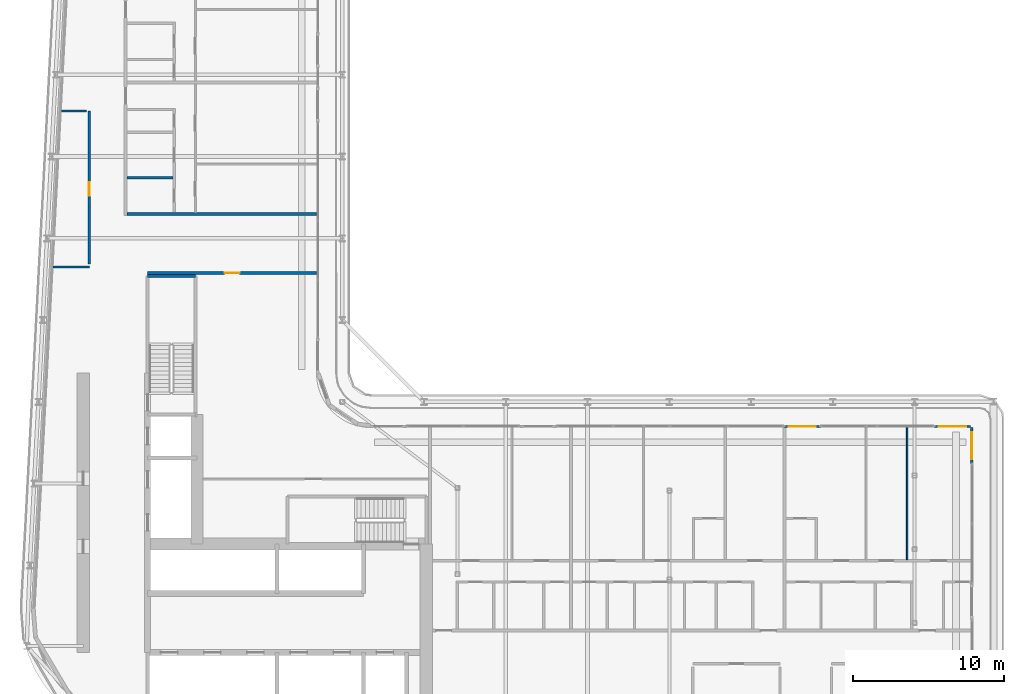
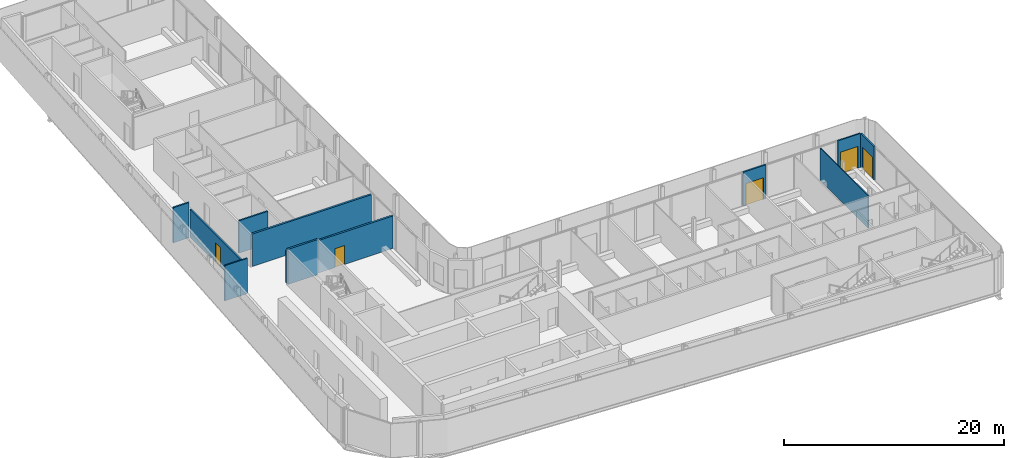
# One storey, part 16 of 26: 11 walls, 5 doors, 5 openings.
"""IFC4 building model written with IfcOpenShell, lengths in metres."""

from ifc_helpers import new_model, si_unit, direction, frame, frame_2d, origin, place, context, subcontext, project, spatial, rectangle, extrude, source, transform, mapped, material, layer, layer_set, type_object, element, fill, save


model = new_model("IFC4")

# Units and contexts
model_context = context("Model", 3, precision=1e-05, world=origin(), true_north=direction((0.0, 1.0)))
body_context = subcontext(model_context, "Body", "Model", "MODEL_VIEW")
ifc_project = project(units=[si_unit("LENGTHUNIT", "METRE"), si_unit("AREAUNIT", "SQUARE_METRE"), si_unit("VOLUMEUNIT", "CUBIC_METRE"), si_unit("PLANEANGLEUNIT", "RADIAN"), si_unit("MASSUNIT", "GRAM", prefix="KILO")], contexts=[model_context])

# Site, building, storey
site_placement = place(None, origin())
site = spatial("IfcSite", under=ifc_project, at=site_placement, CompositionType="ELEMENT")
building_placement = place(site_placement, origin())
building = spatial("IfcBuilding", under=site, at=building_placement, Name="Kheshtan School and Residences Tower", CompositionType="ELEMENT")
storey_placement = place(building_placement, frame((0.0, 0.0, 156.5)))
storey = spatial("IfcBuildingStorey", under=building, at=storey_placement, Name="L36", CompositionType="ELEMENT", Elevation=156.5)

# Wall
ifc_material_1 = material(Name="Gypsum board on steel studs with fire boards", Category="steel")
ifc_layer_1 = layer(ifc_material_1, 0.199951171875)
ifc_layer_set_1 = layer_set([ifc_layer_1], Name="Corridor wall 200")
wall_type_1 = type_object("IfcWallType", Name="Corridor wall 200", PredefinedType="PARTITIONING", material=ifc_layer_set_1)
wall_1_placement = place(storey_placement, frame((33.39990234375, 58.0, 0.0), z_axis=(0.0, 0.0, 1.0), x_axis=(1.0, 0.0, 0.0)))
element("IfcWall", 1, at=wall_1_placement, inside=storey, type_object=wall_type_1, Name="Partition L36-006", PredefinedType="PARTITIONING", context=body_context, shape_type="SweptSolid", body=[
    extrude(rectangle(XDim=12.5, YDim=0.199951171875, at=frame_2d((6.25, 0.0))), origin(), (0.0, 0.0, 1.0), 3.60009765625),
])

# Wall, opening, door
wall_2_placement = place(storey_placement, frame((34.75, 54.10009765625, 0.0), z_axis=(0.0, 0.0, 1.0), x_axis=(1.0, 0.0, 0.0)))
wall_2 = element("IfcWall", 2, at=wall_2_placement, inside=storey, type_object=wall_type_1, Name="Partition L36-017", PredefinedType="PARTITIONING", context=body_context, shape_type="SweptSolid", body=[
    extrude(rectangle(XDim=11.14990234375, YDim=0.199951171875, at=frame_2d((5.574951171875, 0.0))), origin(), (0.0, 0.0, 1.0), 3.60009765625),
])
opening_1_placement = place(wall_2_placement, frame((5.074951171875, 0.0, 0.0)))
opening_1 = element("IfcOpeningElement", 3, at=opening_1_placement, cuts=wall_2, Name="Opening D35-046", PredefinedType="OPENING", context=body_context, shape_type="SweptSolid", body=[
    extrude(rectangle(XDim=1.0, YDim=2.10009765625, at=frame_2d((0.5, 1.050048828125))), frame((0.0, 0.10986328125, 0.0), z_axis=(0.0, -1.0, 0.0), x_axis=(1.0, 0.0, 0.0)), (0.0, 0.0, 1.0), 0.219970703125),
])
ifc_material_2 = material(Name="Steel-framed fire-resisting door leaf", Category="steel")
door_type_1 = type_object("IfcDoorType", Name="Fire door FD60 1000 x 2100", OperationType="SINGLE_SWING_LEFT", PredefinedType="DOOR", material=ifc_material_2)
shared_shape_1 = source(origin(), body_context, "Body", "SweptSolid", [
    extrude(rectangle(XDim=1.0, YDim=2.10009765625, at=frame_2d((0.5, 1.050048828125))), frame((0.0, 0.02490234375, 0.0), z_axis=(0.0, -1.0, 0.0), x_axis=(1.0, 0.0, 0.0)), (0.0, 0.0, 1.0), 0.050048828125),
])
door_1_placement = place(opening_1_placement, origin())
door_1 = element("IfcDoor", 4, at=door_1_placement, inside=storey, type_object=door_type_1, Name="Door D35-046", OperationType="SINGLE_SWING_RIGHT", OverallHeight=2.10009765625, OverallWidth=1.0, PredefinedType="DOOR", context=body_context, shape_type="MappedRepresentation", body=[
    mapped(shared_shape_1, transform((0.0, 0.0, 0.0), x_axis=(1.0, 0.0, 0.0), y_axis=(0.0, 1.0, 0.0), z_axis=(0.0, 0.0, 1.0), scale=1.0)),
])
fill(opening_1, door_1)

ifc_material_3 = material(Name="Aluminium frame wall with insulated infill", Category="aluminium")
ifc_layer_2 = layer(ifc_material_3, 0.14990234375)
ifc_layer_set_2 = layer_set([ifc_layer_2], Name="Glazing frame wall 150")
wall_type_2 = type_object("IfcWallType", Name="Glazing frame wall 150", PredefinedType="SOLIDWALL", material=ifc_layer_set_2)
wall_3_placement = place(storey_placement, frame((76.781982421875, 43.97509765625, 0.0), z_axis=(0.0, 0.0, 1.0), x_axis=(1.0, 0.0, 0.0)))
wall_3 = element("IfcWall", 5, at=wall_3_placement, inside=storey, type_object=wall_type_2, Name="Balcony door wall L36 12.3", PredefinedType="SOLIDWALL", context=body_context, shape_type="SweptSolid", body=[
    extrude(rectangle(XDim=2.39990234375, YDim=0.14990234375, at=frame_2d((1.199951171875, 0.0))), origin(), (0.0, 0.0, 1.0), 3.75),
])
opening_2_placement = place(wall_3_placement, frame((0.300048828125, 0.0, 0.0)))
opening_2 = element("IfcOpeningElement", 6, at=opening_2_placement, cuts=wall_3, Name="Opening BD", PredefinedType="OPENING", context=body_context, shape_type="SweptSolid", body=[
    extrude(rectangle(XDim=1.800048828125, YDim=2.39990234375, at=frame_2d((0.89990234375, 1.199951171875))), frame((0.0, 0.0849609375, 0.0), z_axis=(0.0, -1.0, 0.0), x_axis=(1.0, 0.0, 0.0)), (0.0, 0.0, 1.0), 0.169921875),
])
ifc_material_4 = material(Name="Clear low-e glass in thermally broken aluminium frame", Category="aluminium")
door_type_2 = type_object("IfcDoorType", Name="Balcony sliding door", OperationType="SLIDING_TO_LEFT", PredefinedType="DOOR", material=ifc_material_4)
shared_shape_2 = source(origin(), body_context, "Body", "SweptSolid", [
    extrude(rectangle(XDim=1.800048828125, YDim=2.39990234375, at=frame_2d((0.89990234375, 1.199951171875))), frame((0.0, 0.02490234375, 0.0), z_axis=(0.0, -1.0, 0.0), x_axis=(1.0, 0.0, 0.0)), (0.0, 0.0, 1.0), 0.050048828125),
])
door_2_placement = place(opening_2_placement, origin())
door_2 = element("IfcDoor", 7, at=door_2_placement, inside=storey, type_object=door_type_2, Name="Balcony door L36 12.3", OperationType="SLIDING_TO_LEFT", OverallHeight=2.39990234375, OverallWidth=1.800048828125, PredefinedType="DOOR", context=body_context, shape_type="MappedRepresentation", body=[
    mapped(shared_shape_2, transform((0.0, 0.0, 0.0), x_axis=(1.0, 0.0, 0.0), y_axis=(0.0, 1.0, 0.0), z_axis=(0.0, 0.0, 1.0), scale=1.0)),
])
fill(opening_2, door_2)

wall_4_placement = place(storey_placement, frame((86.699951171875, 43.97509765625, 0.0), z_axis=(0.0, 0.0, 1.0), x_axis=(1.0, 0.0, 0.0)))
wall_4 = element("IfcWall", 8, at=wall_4_placement, inside=storey, type_object=wall_type_2, Name="Balcony door wall L36 12.4", PredefinedType="SOLIDWALL", context=body_context, shape_type="SweptSolid", body=[
    extrude(rectangle(XDim=2.400146484375, YDim=0.14990234375, at=frame_2d((1.2001953125, 0.0))), origin(), (0.0, 0.0, 1.0), 3.75),
])
opening_3_placement = place(wall_4_placement, frame((0.300048828125, 0.0, 0.0)))
opening_3 = element("IfcOpeningElement", 9, at=opening_3_placement, cuts=wall_4, Name="Opening BD", PredefinedType="OPENING", context=body_context, shape_type="SweptSolid", body=[
    extrude(rectangle(XDim=1.800048828125, YDim=2.39990234375, at=frame_2d((0.89990234375, 1.199951171875))), frame((0.0, 0.0849609375, 0.0), z_axis=(0.0, -1.0, 0.0), x_axis=(1.0, 0.0, 0.0)), (0.0, 0.0, 1.0), 0.169921875),
])
door_3_placement = place(opening_3_placement, origin())
door_3 = element("IfcDoor", 10, at=door_3_placement, inside=storey, type_object=door_type_2, Name="Balcony door L36 12.4", OperationType="SLIDING_TO_LEFT", OverallHeight=2.39990234375, OverallWidth=1.800048828125, PredefinedType="DOOR", context=body_context, shape_type="MappedRepresentation", body=[
    mapped(shared_shape_2, transform((0.0, 0.0, 0.0), x_axis=(1.0, 0.0, 0.0), y_axis=(0.0, 1.0, 0.0), z_axis=(0.0, 0.0, 1.0), scale=1.0)),
])
fill(opening_3, door_3)

wall_5_placement = place(storey_placement, frame((89.175048828125, 43.89990234375, 0.0), z_axis=(0.0, 0.0, 1.0), x_axis=(0.0, -1.0, 0.0)))
wall_5 = element("IfcWall", 11, at=wall_5_placement, inside=storey, type_object=wall_type_2, Name="Balcony door wall L36 13.1", PredefinedType="SOLIDWALL", context=body_context, shape_type="SweptSolid", body=[
    extrude(rectangle(XDim=2.39990234375, YDim=0.14990234375, at=frame_2d((1.199951171875, 0.0))), origin(), (0.0, 0.0, 1.0), 3.75),
])
opening_4_placement = place(wall_5_placement, frame((0.300048828125, 0.0, 0.0)))
opening_4 = element("IfcOpeningElement", 12, at=opening_4_placement, cuts=wall_5, Name="Opening BD", PredefinedType="OPENING", context=body_context, shape_type="SweptSolid", body=[
    extrude(rectangle(XDim=1.800048828125, YDim=2.39990234375, at=frame_2d((0.89990234375, 1.199951171875))), frame((0.0, 0.0849609375, 0.0), z_axis=(0.0, -1.0, 0.0), x_axis=(1.0, 0.0, 0.0)), (0.0, 0.0, 1.0), 0.169921875),
])
door_4_placement = place(opening_4_placement, origin())
door_4 = element("IfcDoor", 13, at=door_4_placement, inside=storey, type_object=door_type_2, Name="Balcony door L36 13.1", OperationType="SLIDING_TO_LEFT", OverallHeight=2.39990234375, OverallWidth=1.800048828125, PredefinedType="DOOR", context=body_context, shape_type="MappedRepresentation", body=[
    mapped(shared_shape_2, transform((0.0, 0.0, 0.0), x_axis=(1.0, 0.0, 0.0), y_axis=(0.0, 1.0, 0.0), z_axis=(0.0, 0.0, 1.0), scale=1.0)),
])
fill(opening_4, door_4)

# Walls
ifc_material_5 = material(Name="Gypsum board on steel studs", Category="steel")
ifc_layer_3 = layer(ifc_material_5, 0.10009765625)
ifc_layer_set_3 = layer_set([ifc_layer_3], Name="Gypsum partition 100")
wall_type_3 = type_object("IfcWallType", Name="Gypsum partition 100", PredefinedType="PARTITIONING", material=ifc_layer_set_3)
wall_6_placement = place(storey_placement, frame((84.89990234375, 35.175048828125, 0.0), z_axis=(0.0, 0.0, 1.0), x_axis=(0.0, 1.0, 0.0)))
element("IfcWall", 14, at=wall_6_placement, inside=storey, type_object=wall_type_3, Name="Partition L36-059", PredefinedType="PARTITIONING", context=body_context, shape_type="SweptSolid", body=[
    extrude(rectangle(XDim=8.724853515625, YDim=0.10009765625, at=frame_2d((4.3623046875, 0.0))), origin(), (0.0, 0.0, 1.0), 3.60009765625),
])
ifc_material_6 = material(Name="Fire-board shaft wall system")
ifc_layer_4 = layer(ifc_material_6, 0.14990234375)
ifc_layer_set_4 = layer_set([ifc_layer_4], Name="Service room wall 150")
wall_type_4 = type_object("IfcWallType", Name="Service room wall 150", PredefinedType="PARTITIONING", material=ifc_layer_set_4)
wall_7_placement = place(storey_placement, frame((28.508056640625, 54.5, 0.0), z_axis=(0.0, 0.0, 1.0), x_axis=(1.0, 0.0, 0.0)))
element("IfcWall", 15, at=wall_7_placement, inside=storey, type_object=wall_type_4, Name="Service room wall", PredefinedType="PARTITIONING", context=body_context, shape_type="SweptSolid", body=[
    extrude(rectangle(XDim=2.391845703125, YDim=0.14990234375, at=frame_2d((1.19580078125, 0.0))), origin(), (0.0, 0.0, 1.0), 3.89990234375),
])

# Wall, opening, door
wall_8_placement = place(storey_placement, frame((30.89990234375, 54.695068359375, 0.0), z_axis=(0.0, 0.0, 1.0), x_axis=(0.0, 1.0, 0.0)))
wall_8 = element("IfcWall", 16, at=wall_8_placement, inside=storey, type_object=wall_type_4, Name="Service room wall", PredefinedType="PARTITIONING", context=body_context, shape_type="SweptSolid", body=[
    extrude(rectangle(XDim=10.10498046875, YDim=0.14990234375, at=frame_2d((5.052490234375, 0.0))), origin(), (0.0, 0.0, 1.0), 3.072021484375),
])
opening_5_placement = place(wall_8_placement, frame((4.5048828125, 0.0, 0.0)))
opening_5 = element("IfcOpeningElement", 17, at=opening_5_placement, cuts=wall_8, Name="Opening SR90", PredefinedType="OPENING", context=body_context, shape_type="SweptSolid", body=[
    extrude(rectangle(XDim=0.89990234375, YDim=2.199951171875, at=frame_2d((0.449951171875, 1.10009765625))), frame((0.0, 0.0849609375, 0.0), z_axis=(0.0, -1.0, 0.0), x_axis=(1.0, 0.0, 0.0)), (0.0, 0.0, 1.0), 0.169921875),
])
ifc_material_7 = material(Name="Steel door leaf, galvanised", Category="steel")
door_type_3 = type_object("IfcDoorType", Name="Service room door 900 steel 90 min", OperationType="SINGLE_SWING_LEFT", PredefinedType="DOOR", material=ifc_material_7)
shared_shape_3 = source(origin(), body_context, "Body", "SweptSolid", [
    extrude(rectangle(XDim=0.89990234375, YDim=2.199951171875, at=frame_2d((0.449951171875, 1.10009765625))), frame((0.0, 0.02490234375, 0.0), z_axis=(0.0, -1.0, 0.0), x_axis=(1.0, 0.0, 0.0)), (0.0, 0.0, 1.0), 0.050048828125),
])
door_5_placement = place(opening_5_placement, origin())
door_5 = element("IfcDoor", 18, at=door_5_placement, inside=storey, type_object=door_type_3, Name="Service room door", OperationType="SINGLE_SWING_LEFT", OverallHeight=2.199951171875, OverallWidth=0.89990234375, PredefinedType="DOOR", context=body_context, shape_type="MappedRepresentation", body=[
    mapped(shared_shape_3, transform((0.0, 0.0, 0.0), x_axis=(1.0, 0.0, 0.0), y_axis=(0.0, 1.0, 0.0), z_axis=(0.0, 0.0, 1.0), scale=1.0)),
])
fill(opening_5, door_5)

# Walls
wall_9_placement = place(storey_placement, frame((29.050048828125, 64.800048828125, 0.0), z_axis=(0.0, 0.0, 1.0), x_axis=(1.0, 0.0, 0.0)))
element("IfcWall", 19, at=wall_9_placement, inside=storey, type_object=wall_type_4, Name="Service room wall", PredefinedType="PARTITIONING", context=body_context, shape_type="SweptSolid", body=[
    extrude(rectangle(XDim=1.655029296875, YDim=0.14990234375, at=frame_2d((0.82763671875, 0.0))), origin(), (0.0, 0.0, 1.0), 3.89990234375),
])
ifc_material_8 = material(Name="Concrete C40/50", Category="concrete")
ifc_layer_5 = layer(ifc_material_8, 0.199951171875)
ifc_layer_set_5 = layer_set([ifc_layer_5], Name="Stair enclosure wall 200 Concrete C40/50")
wall_type_5 = type_object("IfcWallType", Name="Stair enclosure wall 200 Concrete C40/50", PredefinedType="SHEAR", material=ifc_layer_set_5)
wall_10_placement = place(storey_placement, frame((34.75, 53.909912109375, 0.0), z_axis=(0.0, 0.0, 1.0), x_axis=(1.0, 0.0, 0.0)))
element("IfcWall", 20, at=wall_10_placement, inside=storey, type_object=wall_type_5, Name="Stair enclosure wall ST2", PredefinedType="SHEAR", context=body_context, shape_type="SweptSolid", body=[
    extrude(rectangle(XDim=3.14990234375, YDim=0.199951171875, at=frame_2d((1.574951171875, 0.0))), origin(), (0.0, 0.0, 1.0), 3.89990234375),
])
ifc_material_9 = material(Name="Moisture-resistant gypsum board on steel studs", Category="steel")
ifc_layer_6 = layer(ifc_material_9, 0.14990234375)
ifc_layer_set_6 = layer_set([ifc_layer_6], Name="Wet-room partition 150")
wall_type_6 = type_object("IfcWallType", Name="Wet-room partition 150", PredefinedType="PARTITIONING", material=ifc_layer_set_6)
wall_11_placement = place(storey_placement, frame((33.39990234375, 60.39990234375, 0.0), z_axis=(0.0, 0.0, 1.0), x_axis=(1.0, 0.0, 0.0)))
element("IfcWall", 21, at=wall_11_placement, inside=storey, type_object=wall_type_6, Name="Partition L36-007", PredefinedType="PARTITIONING", context=body_context, shape_type="SweptSolid", body=[
    extrude(rectangle(XDim=3.025146484375, YDim=0.14990234375, at=frame_2d((1.5126953125, 0.0))), origin(), (0.0, 0.0, 1.0), 3.60009765625),
])

save(model, "model.ifc")
